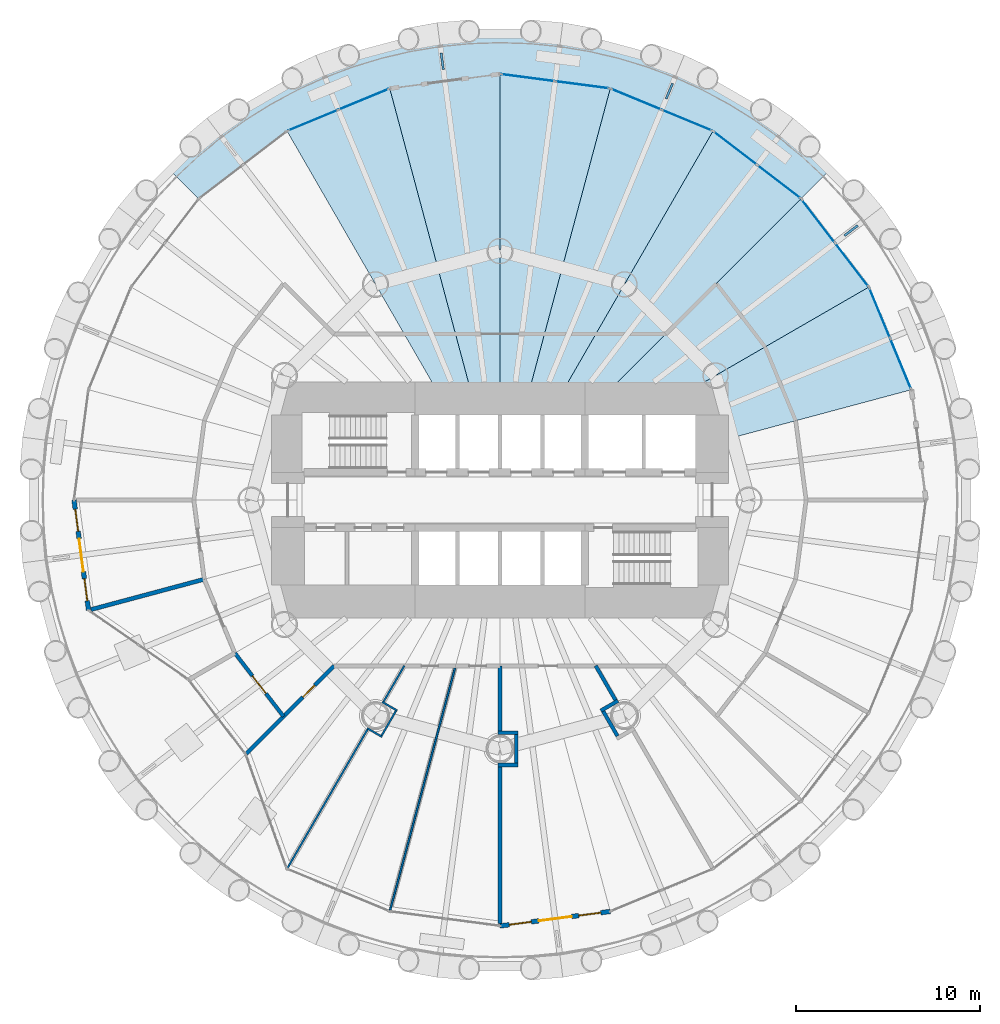
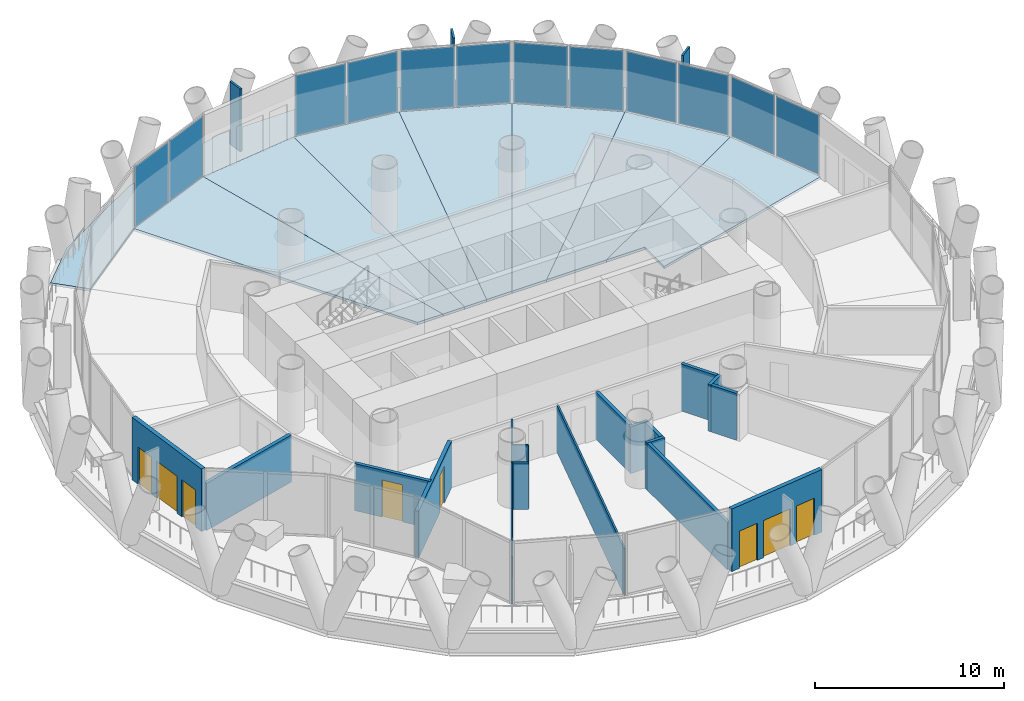
# One storey, part 8 of 14: 19 walls, 15 plates, 8 slabs, 4 doors, 4 windows, 8 openings, 6 elements without a shape of their own.
"""IFC4 building model written with IfcOpenShell, lengths in metres."""

from ifc_helpers import new_model, si_unit, direction, frame, frame_2d, origin, origin_2d, place, context, subcontext, project, spatial, polyline, rectangle, outline, extrude, material, layer, layer_set, type_object, element, fill, aggregate, save


model = new_model("IFC4")

# Units and contexts
model_context = context("Model", 3, precision=1e-05, world=origin(), true_north=direction((0.0, 1.0)))
body_context = subcontext(model_context, "Body", "Model", "MODEL_VIEW")
ifc_project = project(units=[si_unit("LENGTHUNIT", "METRE"), si_unit("AREAUNIT", "SQUARE_METRE"), si_unit("VOLUMEUNIT", "CUBIC_METRE"), si_unit("PLANEANGLEUNIT", "RADIAN"), si_unit("MASSUNIT", "GRAM", prefix="KILO")], contexts=[model_context])

# Site, building, storey
site_placement = place(None, origin())
site = spatial("IfcSite", under=ifc_project, at=site_placement, CompositionType="ELEMENT")
building_placement = place(site_placement, origin())
building = spatial("IfcBuilding", under=site, at=building_placement, Name="Qaws Media Tower", CompositionType="ELEMENT")
storey_placement = place(building_placement, frame((0.0, 0.0, 84.800048828125)))
storey = spatial("IfcBuildingStorey", under=building, at=storey_placement, Name="L18", CompositionType="ELEMENT", Elevation=84.800048828125)

# Slabs
ifc_material_1 = material(Name="Concrete C35/45", Category="concrete")
ifc_layer_1 = layer(ifc_material_1, 0.159912109375)
ifc_layer_set_1 = layer_set([ifc_layer_1], Name="Composite balcony slab 160")
slab_type_1 = type_object("IfcSlabType", Name="Composite balcony slab 160", PredefinedType="FLOOR", material=ifc_layer_set_1)
slab_1_placement = place(storey_placement, frame((0.0, 0.0, -0.16015625)))
element("IfcSlab", 1, at=slab_1_placement, inside=storey, type_object=slab_type_1, Name="S2 balcony slab L18 R04 to R10, movement joints on R04 and R10", PredefinedType="FLOOR", context=body_context, shape_type="SweptSolid", body=[
    extrude(outline(polyline([(44.4765625, 70.23046875), (50.24169921875, 73.558837890625), (56.671630859375, 75.28173828125), (63.328369140625, 75.28173828125), (69.75830078125, 73.558837890625), (75.5234375, 70.23046875), (77.876953125, 67.876953125), (76.334228515625, 66.334228515625), (71.550048828125, 70.005126953125), (65.978759765625, 72.31298828125), (60.0, 73.10009765625), (54.021240234375, 72.31298828125), (48.449951171875, 70.005126953125), (43.665771484375, 66.334228515625), (42.123046875, 67.876953125), (44.4765625, 70.23046875)])), origin(), (0.0, 0.0, 1.0), 0.16015625),
])
ifc_material_2 = material(Name="Concrete C35/45", Category="concrete")
ifc_layer_2 = layer(ifc_material_2, 0.159912109375)
ifc_layer_set_2 = layer_set([ifc_layer_2], Name="Composite floor slab 160")
slab_type_2 = type_object("IfcSlabType", Name="Composite floor slab 160", PredefinedType="FLOOR", material=ifc_layer_set_2)
slab_2_placement = place(storey_placement, frame((0.0, 0.0, -0.16015625)))
element("IfcSlab", 2, at=slab_2_placement, inside=storey, type_object=slab_type_2, Name="S1 floor panel L18 on R02+7.5", PredefinedType="FLOOR", context=body_context, shape_type="SweptSolid", body=[
    extrude(outline(polyline([(80.005126953125, 61.550048828125), (82.31298828125, 55.978759765625), (71.0, 52.947509765625), (71.0, 55.0), (68.660400390625, 55.0), (80.005126953125, 61.550048828125)])), origin(), (0.0, 0.0, 1.0), 0.16015625),
])
slab_3_placement = place(storey_placement, frame((0.0, 0.0, -0.16015625)))
element("IfcSlab", 3, at=slab_3_placement, inside=storey, type_object=slab_type_2, Name="S1 floor panel L18 on R03+7.5", PredefinedType="FLOOR", context=body_context, shape_type="SweptSolid", body=[
    extrude(outline(polyline([(80.005126953125, 61.550048828125), (68.660400390625, 55.0), (65.0, 55.0), (76.334228515625, 66.334228515625), (80.005126953125, 61.550048828125)])), origin(), (0.0, 0.0, 1.0), 0.16015625),
])
slab_4_placement = place(storey_placement, frame((0.0, 0.0, -0.16015625)))
element("IfcSlab", 4, at=slab_4_placement, inside=storey, type_object=slab_type_2, Name="S1 floor panel L18 on R04+7.5", PredefinedType="FLOOR", context=body_context, shape_type="SweptSolid", body=[
    extrude(outline(polyline([(76.334228515625, 66.334228515625), (65.0, 55.0), (62.88671875, 55.0), (71.550048828125, 70.005126953125), (76.334228515625, 66.334228515625)])), origin(), (0.0, 0.0, 1.0), 0.16015625),
])
slab_5_placement = place(storey_placement, frame((0.0, 0.0, -0.16015625)))
element("IfcSlab", 5, at=slab_5_placement, inside=storey, type_object=slab_type_2, Name="S1 floor panel L18 on R05+7.5", PredefinedType="FLOOR", context=body_context, shape_type="SweptSolid", body=[
    extrude(outline(polyline([(71.550048828125, 70.005126953125), (62.88671875, 55.0), (61.339599609375, 55.0), (65.978759765625, 72.31298828125), (71.550048828125, 70.005126953125)])), origin(), (0.0, 0.0, 1.0), 0.16015625),
])
slab_6_placement = place(storey_placement, frame((0.0, 0.0, -0.16015625)))
element("IfcSlab", 6, at=slab_6_placement, inside=storey, type_object=slab_type_2, Name="S1 floor panel L18 on R06+7.5", PredefinedType="FLOOR", context=body_context, shape_type="SweptSolid", body=[
    extrude(outline(polyline([(65.978759765625, 72.31298828125), (61.339599609375, 55.0), (60.0, 55.0), (60.0, 73.10009765625), (65.978759765625, 72.31298828125)])), origin(), (0.0, 0.0, 1.0), 0.16015625),
])
slab_7_placement = place(storey_placement, frame((0.0, 0.0, -0.16015625)))
element("IfcSlab", 7, at=slab_7_placement, inside=storey, type_object=slab_type_2, Name="S1 floor panel L18 on R07+7.5", PredefinedType="FLOOR", context=body_context, shape_type="SweptSolid", body=[
    extrude(outline(polyline([(54.021240234375, 72.31298828125), (60.0, 73.10009765625), (60.0, 55.0), (58.660400390625, 55.0), (54.021240234375, 72.31298828125)])), origin(), (0.0, 0.0, 1.0), 0.16015625),
])
slab_8_placement = place(storey_placement, frame((0.0, 0.0, -0.16015625)))
element("IfcSlab", 8, at=slab_8_placement, inside=storey, type_object=slab_type_2, Name="S1 floor panel L18 on R08+7.5", PredefinedType="FLOOR", context=body_context, shape_type="SweptSolid", body=[
    extrude(outline(polyline([(48.449951171875, 70.005126953125), (54.021240234375, 72.31298828125), (58.660400390625, 55.0), (57.11328125, 55.0), (48.449951171875, 70.005126953125)])), origin(), (0.0, 0.0, 1.0), 0.16015625),
])

# Curtain wall, plates
ifc_material_3 = material(Name="Aluminium and clear glass", Category="aluminium")
curtain_wall_type = type_object("IfcCurtainWallType", Name="Unitised curtain wall CW-A", PredefinedType="NOTDEFINED", material=ifc_material_3)
curtain_wall_1_placement = place(storey_placement, origin())
curtain_wall_1 = element("IfcCurtainWall", 9, at=curtain_wall_1_placement, inside=storey, type_object=curtain_wall_type, Name="CWA curtain wall L18-02", PredefinedType="NOTDEFINED")
ifc_material_4 = material(Name="Clear laminated double glazing", Category="glass")
ifc_layer_3 = layer(ifc_material_4, 0.031982421875)
ifc_layer_set_3 = layer_set([ifc_layer_3], Name="Curtain wall glass unit 32")
plate_type_1 = type_object("IfcPlateType", Name="Curtain wall glass unit 32", PredefinedType="CURTAIN_PANEL", material=ifc_layer_set_3)
plate_1_placement = place(storey_placement, frame((81.728271484375, 57.39013671875, 0.080078125), z_axis=(0.0, 0.0, 1.0), x_axis=(-0.382683469758, 0.923879517022, 0.0)))
plate_1 = element("IfcPlate", 10, at=plate_1_placement, type_object=plate_type_1, Name="CWA panel 1.1", PredefinedType="CURTAIN_PANEL", context=body_context, shape_type="SweptSolid", body=[
    extrude(rectangle(XDim=2.895263671875, YDim=0.031982421875, at=origin_2d()), origin(), (0.0, 0.0, 1.0), 3.8798828125),
])
plate_2_placement = place(storey_placement, frame((80.58984375, 60.138671875, 0.080078125), z_axis=(0.0, 0.0, 1.0), x_axis=(-0.382683469758, 0.923879517022, 0.0)))
plate_2 = element("IfcPlate", 11, at=plate_2_placement, type_object=plate_type_1, Name="CWA panel 2.1", PredefinedType="CURTAIN_PANEL", context=body_context, shape_type="SweptSolid", body=[
    extrude(rectangle(XDim=2.895263671875, YDim=0.031982421875, at=origin_2d()), origin(), (0.0, 0.0, 1.0), 3.8798828125),
])
aggregate(curtain_wall_1, [plate_1, plate_2])

curtain_wall_2_placement = place(storey_placement, origin())
curtain_wall_2 = element("IfcCurtainWall", 12, at=curtain_wall_2_placement, inside=storey, type_object=curtain_wall_type, Name="CWA curtain wall L18-03", PredefinedType="NOTDEFINED")
plate_3_placement = place(storey_placement, frame((79.0751953125, 62.761962890625, 0.080078125), z_axis=(0.0, 0.0, 1.0), x_axis=(-0.608761381612, 0.79335337666, 0.0)))
plate_3 = element("IfcPlate", 13, at=plate_3_placement, type_object=plate_type_1, Name="CWA panel 1.1", PredefinedType="CURTAIN_PANEL", context=body_context, shape_type="SweptSolid", body=[
    extrude(rectangle(XDim=2.895263671875, YDim=0.031982421875, at=origin_2d()), origin(), (0.0, 0.0, 1.0), 3.8798828125),
])
plate_4_placement = place(storey_placement, frame((77.26416015625, 65.122314453125, 0.080078125), z_axis=(0.0, 0.0, 1.0), x_axis=(-0.608761381612, 0.79335337666, 0.0)))
plate_4 = element("IfcPlate", 14, at=plate_4_placement, type_object=plate_type_1, Name="CWA panel 2.1", PredefinedType="CURTAIN_PANEL", context=body_context, shape_type="SweptSolid", body=[
    extrude(rectangle(XDim=2.895263671875, YDim=0.031982421875, at=origin_2d()), origin(), (0.0, 0.0, 1.0), 3.8798828125),
])
aggregate(curtain_wall_2, [plate_3, plate_4])

curtain_wall_3_placement = place(storey_placement, origin())
curtain_wall_3 = element("IfcCurtainWall", 15, at=curtain_wall_3_placement, inside=storey, type_object=curtain_wall_type, Name="CWA curtain wall L18-04", PredefinedType="NOTDEFINED")
plate_5_placement = place(storey_placement, frame((75.122314453125, 67.26416015625, 0.080078125), z_axis=(0.0, 0.0, 1.0), x_axis=(-0.79335337666, 0.608761381612, 0.0)))
plate_5 = element("IfcPlate", 16, at=plate_5_placement, type_object=plate_type_1, Name="CWA panel 1.1", PredefinedType="CURTAIN_PANEL", context=body_context, shape_type="SweptSolid", body=[
    extrude(rectangle(XDim=2.895263671875, YDim=0.031982421875, at=origin_2d()), origin(), (0.0, 0.0, 1.0), 3.8798828125),
])
plate_6_placement = place(storey_placement, frame((72.761962890625, 69.0751953125, 0.080078125), z_axis=(0.0, 0.0, 1.0), x_axis=(-0.79335337666, 0.608761381612, 0.0)))
plate_6 = element("IfcPlate", 17, at=plate_6_placement, type_object=plate_type_1, Name="CWA panel 2.1", PredefinedType="CURTAIN_PANEL", context=body_context, shape_type="SweptSolid", body=[
    extrude(rectangle(XDim=2.895263671875, YDim=0.031982421875, at=origin_2d()), origin(), (0.0, 0.0, 1.0), 3.8798828125),
])
aggregate(curtain_wall_3, [plate_5, plate_6])

curtain_wall_4_placement = place(storey_placement, origin())
curtain_wall_4 = element("IfcCurtainWall", 18, at=curtain_wall_4_placement, inside=storey, type_object=curtain_wall_type, Name="CWA curtain wall L18-05", PredefinedType="NOTDEFINED")
plate_7_placement = place(storey_placement, frame((70.138671875, 70.58984375, 0.080078125), z_axis=(0.0, 0.0, 1.0), x_axis=(-0.923879517022, 0.382683469758, 0.0)))
plate_7 = element("IfcPlate", 19, at=plate_7_placement, type_object=plate_type_1, Name="CWA panel 1.1", PredefinedType="CURTAIN_PANEL", context=body_context, shape_type="SweptSolid", body=[
    extrude(rectangle(XDim=2.895263671875, YDim=0.031982421875, at=origin_2d()), origin(), (0.0, 0.0, 1.0), 3.8798828125),
])
plate_8_placement = place(storey_placement, frame((67.39013671875, 71.728271484375, 0.080078125), z_axis=(0.0, 0.0, 1.0), x_axis=(-0.923879517022, 0.382683469758, 0.0)))
plate_8 = element("IfcPlate", 20, at=plate_8_placement, type_object=plate_type_1, Name="CWA panel 2.1", PredefinedType="CURTAIN_PANEL", context=body_context, shape_type="SweptSolid", body=[
    extrude(rectangle(XDim=2.895263671875, YDim=0.031982421875, at=origin_2d()), origin(), (0.0, 0.0, 1.0), 3.8798828125),
])
aggregate(curtain_wall_4, [plate_7, plate_8])

curtain_wall_5_placement = place(storey_placement, origin())
curtain_wall_5 = element("IfcCurtainWall", 21, at=curtain_wall_5_placement, inside=storey, type_object=curtain_wall_type, Name="CWA curtain wall L18-06", PredefinedType="NOTDEFINED")
plate_9_placement = place(storey_placement, frame((64.464111328125, 72.51220703125, 0.080078125), z_axis=(0.0, 0.0, 1.0), x_axis=(-0.991444870395, 0.130526123696, 0.0)))
plate_9 = element("IfcPlate", 22, at=plate_9_placement, type_object=plate_type_1, Name="CWA panel 1.1", PredefinedType="CURTAIN_PANEL", context=body_context, shape_type="SweptSolid", body=[
    extrude(rectangle(XDim=2.895263671875, YDim=0.031982421875, at=origin_2d()), origin(), (0.0, 0.0, 1.0), 3.8798828125),
])
plate_10_placement = place(storey_placement, frame((61.514404296875, 72.900634765625, 0.080078125), z_axis=(0.0, 0.0, 1.0), x_axis=(-0.991444870395, 0.130526123696, 0.0)))
plate_10 = element("IfcPlate", 23, at=plate_10_placement, type_object=plate_type_1, Name="CWA panel 2.1", PredefinedType="CURTAIN_PANEL", context=body_context, shape_type="SweptSolid", body=[
    extrude(rectangle(XDim=2.895263671875, YDim=0.031982421875, at=origin_2d()), origin(), (0.0, 0.0, 1.0), 3.8798828125),
])
aggregate(curtain_wall_5, [plate_9, plate_10])

curtain_wall_6_placement = place(storey_placement, origin())
curtain_wall_6 = element("IfcCurtainWall", 24, at=curtain_wall_6_placement, inside=storey, type_object=curtain_wall_type, Name="CWA curtain wall L18-08", PredefinedType="NOTDEFINED")
plate_11_placement = place(storey_placement, frame((52.60986328125, 71.728271484375, 0.080078125), z_axis=(0.0, 0.0, 1.0), x_axis=(-0.923879517022, -0.382683469758, 0.0)))
plate_11 = element("IfcPlate", 25, at=plate_11_placement, type_object=plate_type_1, Name="CWA panel 1.1", PredefinedType="CURTAIN_PANEL", context=body_context, shape_type="SweptSolid", body=[
    extrude(rectangle(XDim=2.895263671875, YDim=0.031982421875, at=origin_2d()), origin(), (0.0, 0.0, 1.0), 3.8798828125),
])
plate_12_placement = place(storey_placement, frame((49.861328125, 70.58984375, 0.080078125), z_axis=(0.0, 0.0, 1.0), x_axis=(-0.923879517022, -0.382683469758, 0.0)))
plate_12 = element("IfcPlate", 26, at=plate_12_placement, type_object=plate_type_1, Name="CWA panel 2.1", PredefinedType="CURTAIN_PANEL", context=body_context, shape_type="SweptSolid", body=[
    extrude(rectangle(XDim=2.895263671875, YDim=0.031982421875, at=origin_2d()), origin(), (0.0, 0.0, 1.0), 3.8798828125),
])
aggregate(curtain_wall_6, [plate_11, plate_12])

# Plates
ifc_material_5 = material(Name="Precast concrete screen fin", Category="concrete")
ifc_layer_4 = layer(ifc_material_5, 0.1201171875)
ifc_layer_set_4 = layer_set([ifc_layer_4], Name="Screen fin 120x900")
plate_type_2 = type_object("IfcPlateType", Name="Screen fin 120x900", PredefinedType="USERDEFINED", material=ifc_layer_set_4)
for number, where, z_axis, x_axis, name in (
    (27, (79.04052734375, 64.6103515625, 0.0), (0.0, 0.0, 1.0), (0.793353340291, 0.608761429009, 0.0), "SCR1 screen fin L18-02"),
    (28, (69.184326171875, 72.173095703125, 0.0), (0.0, 0.0, 1.0), (0.382683432365, 0.923879532511, 0.0), "SCR1 screen fin L18-03"),
    (29, (56.867431640625, 73.794677734375, 0.0), (0.0, 0.0, 1.0), (-0.13052619222, 0.991444861374, 0.0), "SCR1 screen fin L18-04"),
):
    element("IfcPlate", number, at=place(storey_placement, frame(where, z_axis=z_axis, x_axis=x_axis)), inside=storey, type_object=plate_type_2, Name=name, ObjectType="SCREEN", PredefinedType="USERDEFINED", context=body_context, shape_type="SweptSolid", body=[
        extrude(rectangle(XDim=0.89990234375, YDim=0.1201171875, at=origin_2d()), origin(), (0.0, 0.0, 1.0), 4.0400390625),
    ])

# Wall
ifc_material_6 = material(Name="Twin metal stud frames, two layers gypsum board each side, insulated, Rw 55", Category="gypsum")
ifc_layer_5 = layer(ifc_material_6, 0.22509765625)
ifc_layer_set_5 = layer_set([ifc_layer_5], Name="Acoustic twin-stud partition 225 Rw 55")
wall_type_1 = type_object("IfcWallType", Name="Acoustic twin-stud partition 225 Rw 55", PredefinedType="PARTITIONING", material=ifc_layer_set_5)
wall_1_placement = place(storey_placement, frame((43.965576171875, 45.70361328125, 0.0), z_axis=(0.0, 0.0, 1.0), x_axis=(-0.965929717932, -0.258804520856, 0.0)))
element("IfcWall", 30, at=wall_1_placement, inside=storey, type_object=wall_type_1, Name="W080 IW6 partition L18", PredefinedType="PARTITIONING", context=body_context, shape_type="SweptSolid", body=[
    extrude(rectangle(XDim=6.360107421875, YDim=0.22509765625, at=frame_2d((3.18017578125, 0.0))), origin(), (0.0, 0.0, 1.0), 3.0400390625),
])

# Wall, opening, door
wall_2_placement = place(storey_placement, frame((51.0, 41.0, 0.0), z_axis=(0.0, 0.0, 1.0), x_axis=(-0.707106781187, -0.707106781187, 0.0)))
wall_2 = element("IfcWall", 31, at=wall_2_placement, inside=storey, type_object=wall_type_1, Name="W084 IW6 partition L18", PredefinedType="PARTITIONING", context=body_context, shape_type="SweptSolid", body=[
    extrude(rectangle(XDim=6.73193359375, YDim=0.22509765625, at=frame_2d((3.365966796875, 0.0))), origin(), (0.0, 0.0, 1.0), 3.02001953125),
])
opening_1_placement = place(wall_2_placement, frame((1.486083984375, 0.0, 0.0)))
opening_1 = element("IfcOpeningElement", 32, at=opening_1_placement, cuts=wall_2, Name="Opening D12", PredefinedType="OPENING", context=body_context, shape_type="SweptSolid", body=[
    extrude(rectangle(XDim=0.89990234375, YDim=2.39990234375, at=frame_2d((0.449951171875, 1.199951171875))), frame((0.0, 0.12255859375, 0.0), z_axis=(0.0, -1.0, 0.0), x_axis=(1.0, 0.0, 0.0)), (0.0, 0.0, 1.0), 0.2451171875),
])
ifc_material_7 = material(Name="Timber veneered, full height", Category="wood")
door_type_1 = type_object("IfcDoorType", Name="Office door 900x2400", OperationType="SINGLE_SWING_LEFT", PredefinedType="DOOR", material=ifc_material_7)
door_1_placement = place(opening_1_placement, origin())
door_1 = element("IfcDoor", 33, at=door_1_placement, inside=storey, type_object=door_type_1, Name="D12 Editor's office door L18 in wall W084", OperationType="SINGLE_SWING_LEFT", OverallHeight=2.39990234375, OverallWidth=0.89990234375, PredefinedType="DOOR", context=body_context, shape_type="SweptSolid", body=[
    extrude(rectangle(XDim=0.89990234375, YDim=2.39990234375, at=frame_2d((0.449951171875, 1.199951171875))), frame((0.0, 0.02490234375, 0.0), z_axis=(0.0, -1.0, 0.0), x_axis=(1.0, 0.0, 0.0)), (0.0, 0.0, 1.0), 0.050048828125),
])
fill(opening_1, door_1)

# Wall, openings, door, windows
ifc_material_8 = material(Name="Precast concrete, exposed finish", Category="concrete")
ifc_layer_6 = layer(ifc_material_8, 0.25)
ifc_layer_set_6 = layer_set([ifc_layer_6], Name="Balcony door wall 250")
wall_type_2 = type_object("IfcWallType", Name="Balcony door wall 250", PredefinedType="SOLIDWALL", material=ifc_layer_set_6)
wall_3_placement = place(storey_placement, frame((36.89990234375, 50.0, 0.0), z_axis=(0.0, 0.0, 1.0), x_axis=(0.130524679454, -0.991445060532, 0.0)))
wall_3 = element("IfcWall", 34, at=wall_3_placement, inside=storey, type_object=wall_type_2, Name="W153 EW1 balcony door wall L18-13", PredefinedType="SOLIDWALL", context=body_context, shape_type="SweptSolid", body=[
    extrude(rectangle(XDim=6.0302734375, YDim=0.25, at=frame_2d((3.01513671875, 0.0))), origin(), (0.0, 0.0, 1.0), 4.0400390625),
])
opening_2_placement = place(wall_3_placement, frame((2.115234375, 0.0, 0.0)))
opening_2 = element("IfcOpeningElement", 35, at=opening_2_placement, cuts=wall_3, Name="Opening D7", PredefinedType="OPENING", context=body_context, shape_type="SweptSolid", body=[
    extrude(rectangle(XDim=1.800048828125, YDim=2.39990234375, at=frame_2d((0.89990234375, 1.199951171875))), frame((0.0, 0.135009765625, 0.0), z_axis=(0.0, -1.0, 0.0), x_axis=(1.0, 0.0, 0.0)), (0.0, 0.0, 1.0), 0.27001953125),
])
opening_3_placement = place(wall_3_placement, frame((0.51513671875, 0.0, 0.0)))
opening_3 = element("IfcOpeningElement", 36, at=opening_3_placement, cuts=wall_3, Name="Opening W1", PredefinedType="OPENING", context=body_context, shape_type="SweptSolid", body=[
    extrude(rectangle(XDim=1.199951171875, YDim=2.39990234375, at=frame_2d((0.60009765625, 1.199951171875))), frame((0.0, 0.135009765625, 0.0), z_axis=(0.0, -1.0, 0.0), x_axis=(1.0, 0.0, 0.0)), (0.0, 0.0, 1.0), 0.27001953125),
])
opening_4_placement = place(wall_3_placement, frame((4.315185546875, 0.0, 0.0)))
opening_4 = element("IfcOpeningElement", 37, at=opening_4_placement, cuts=wall_3, Name="Opening W1", PredefinedType="OPENING", context=body_context, shape_type="SweptSolid", body=[
    extrude(rectangle(XDim=1.199951171875, YDim=2.39990234375, at=frame_2d((0.60009765625, 1.199951171875))), frame((0.0, 0.135009765625, 0.0), z_axis=(0.0, -1.0, 0.0), x_axis=(1.0, 0.0, 0.0)), (0.0, 0.0, 1.0), 0.27001953125),
])
ifc_material_9 = material(Name="Aluminium and clear glass", Category="aluminium")
door_type_2 = type_object("IfcDoorType", Name="Balcony door pair 1800", OperationType="DOUBLE_DOOR_SLIDING", PredefinedType="DOOR", material=ifc_material_9)
door_2_placement = place(opening_2_placement, origin())
door_2 = element("IfcDoor", 38, at=door_2_placement, inside=storey, type_object=door_type_2, Name="D7 balcony door L18-13 in wall W153", OperationType="DOUBLE_DOOR_SLIDING", OverallHeight=2.39990234375, OverallWidth=1.800048828125, PredefinedType="DOOR", context=body_context, shape_type="SweptSolid", body=[
    extrude(rectangle(XDim=1.800048828125, YDim=2.39990234375, at=frame_2d((0.89990234375, 1.199951171875))), frame((0.0, 0.02490234375, 0.0), z_axis=(0.0, -1.0, 0.0), x_axis=(1.0, 0.0, 0.0)), (0.0, 0.0, 1.0), 0.050048828125),
])
fill(opening_2, door_2)
ifc_material_10 = material(Name="Aluminium and clear glass", Category="aluminium")
window_type = type_object("IfcWindowType", Name="Balcony side window 1200", PartitioningType="SINGLE_PANEL", PredefinedType="WINDOW", material=ifc_material_10)
window_1_placement = place(opening_3_placement, origin())
window_1 = element("IfcWindow", 39, at=window_1_placement, inside=storey, type_object=window_type, Name="W1 balcony side light L18-13L", OverallHeight=2.39990234375, OverallWidth=1.199951171875, PartitioningType="SINGLE_PANEL", PredefinedType="WINDOW", context=body_context, shape_type="SweptSolid", body=[
    extrude(rectangle(XDim=1.199951171875, YDim=2.39990234375, at=frame_2d((0.60009765625, 1.199951171875))), frame((0.0, 0.030029296875, 0.0), z_axis=(0.0, -1.0, 0.0), x_axis=(1.0, 0.0, 0.0)), (0.0, 0.0, 1.0), 0.06005859375),
])
fill(opening_3, window_1)
window_2_placement = place(opening_4_placement, origin())
window_2 = element("IfcWindow", 40, at=window_2_placement, inside=storey, type_object=window_type, Name="W1 balcony side light L18-13R", OverallHeight=2.39990234375, OverallWidth=1.199951171875, PartitioningType="SINGLE_PANEL", PredefinedType="WINDOW", context=body_context, shape_type="SweptSolid", body=[
    extrude(rectangle(XDim=1.199951171875, YDim=2.39990234375, at=frame_2d((0.60009765625, 1.199951171875))), frame((0.0, 0.030029296875, 0.0), z_axis=(0.0, -1.0, 0.0), x_axis=(1.0, 0.0, 0.0)), (0.0, 0.0, 1.0), 0.06005859375),
])
fill(opening_4, window_2)

wall_4_placement = place(storey_placement, frame((60.0, 26.89990234375, 0.0), z_axis=(0.0, 0.0, 1.0), x_axis=(0.991445060532, 0.130524679454, 0.0)))
wall_4 = element("IfcWall", 41, at=wall_4_placement, inside=storey, type_object=wall_type_2, Name="W154 EW1 balcony door wall L18-19", PredefinedType="SOLIDWALL", context=body_context, shape_type="SweptSolid", body=[
    extrude(rectangle(XDim=6.0302734375, YDim=0.25, at=frame_2d((3.01513671875, 0.0))), origin(), (0.0, 0.0, 1.0), 4.0400390625),
])
opening_5_placement = place(wall_4_placement, frame((2.115234375, 0.0, 0.0)))
opening_5 = element("IfcOpeningElement", 42, at=opening_5_placement, cuts=wall_4, Name="Opening D7", PredefinedType="OPENING", context=body_context, shape_type="SweptSolid", body=[
    extrude(rectangle(XDim=1.800048828125, YDim=2.39990234375, at=frame_2d((0.89990234375, 1.199951171875))), frame((0.0, 0.135009765625, 0.0), z_axis=(0.0, -1.0, 0.0), x_axis=(1.0, 0.0, 0.0)), (0.0, 0.0, 1.0), 0.27001953125),
])
opening_6_placement = place(wall_4_placement, frame((0.51513671875, 0.0, 0.0)))
opening_6 = element("IfcOpeningElement", 43, at=opening_6_placement, cuts=wall_4, Name="Opening W1", PredefinedType="OPENING", context=body_context, shape_type="SweptSolid", body=[
    extrude(rectangle(XDim=1.199951171875, YDim=2.39990234375, at=frame_2d((0.60009765625, 1.199951171875))), frame((0.0, 0.135009765625, 0.0), z_axis=(0.0, -1.0, 0.0), x_axis=(1.0, 0.0, 0.0)), (0.0, 0.0, 1.0), 0.27001953125),
])
opening_7_placement = place(wall_4_placement, frame((4.315185546875, 0.0, 0.0)))
opening_7 = element("IfcOpeningElement", 44, at=opening_7_placement, cuts=wall_4, Name="Opening W1", PredefinedType="OPENING", context=body_context, shape_type="SweptSolid", body=[
    extrude(rectangle(XDim=1.199951171875, YDim=2.39990234375, at=frame_2d((0.60009765625, 1.199951171875))), frame((0.0, 0.135009765625, 0.0), z_axis=(0.0, -1.0, 0.0), x_axis=(1.0, 0.0, 0.0)), (0.0, 0.0, 1.0), 0.27001953125),
])
door_3_placement = place(opening_5_placement, origin())
door_3 = element("IfcDoor", 45, at=door_3_placement, inside=storey, type_object=door_type_2, Name="D7 balcony door L18-19 in wall W154", OperationType="DOUBLE_DOOR_SLIDING", OverallHeight=2.39990234375, OverallWidth=1.800048828125, PredefinedType="DOOR", context=body_context, shape_type="SweptSolid", body=[
    extrude(rectangle(XDim=1.800048828125, YDim=2.39990234375, at=frame_2d((0.89990234375, 1.199951171875))), frame((0.0, 0.02490234375, 0.0), z_axis=(0.0, -1.0, 0.0), x_axis=(1.0, 0.0, 0.0)), (0.0, 0.0, 1.0), 0.050048828125),
])
fill(opening_5, door_3)
window_3_placement = place(opening_6_placement, origin())
window_3 = element("IfcWindow", 46, at=window_3_placement, inside=storey, type_object=window_type, Name="W1 balcony side light L18-19L", OverallHeight=2.39990234375, OverallWidth=1.199951171875, PartitioningType="SINGLE_PANEL", PredefinedType="WINDOW", context=body_context, shape_type="SweptSolid", body=[
    extrude(rectangle(XDim=1.199951171875, YDim=2.39990234375, at=frame_2d((0.60009765625, 1.199951171875))), frame((0.0, 0.030029296875, 0.0), z_axis=(0.0, -1.0, 0.0), x_axis=(1.0, 0.0, 0.0)), (0.0, 0.0, 1.0), 0.06005859375),
])
fill(opening_6, window_3)
window_4_placement = place(opening_7_placement, origin())
window_4 = element("IfcWindow", 47, at=window_4_placement, inside=storey, type_object=window_type, Name="W1 balcony side light L18-19R", OverallHeight=2.39990234375, OverallWidth=1.199951171875, PartitioningType="SINGLE_PANEL", PredefinedType="WINDOW", context=body_context, shape_type="SweptSolid", body=[
    extrude(rectangle(XDim=1.199951171875, YDim=2.39990234375, at=frame_2d((0.60009765625, 1.199951171875))), frame((0.0, 0.030029296875, 0.0), z_axis=(0.0, -1.0, 0.0), x_axis=(1.0, 0.0, 0.0)), (0.0, 0.0, 1.0), 0.06005859375),
])
fill(opening_7, window_4)

# Walls
ifc_material_11 = material(Name="Gypsum board on 70 metal studs, single layer each side", Category="gypsum")
ifc_layer_7 = layer(ifc_material_11, 0.10009765625)
ifc_layer_set_7 = layer_set([ifc_layer_7], Name="Office stud partition 100")
wall_type_3 = type_object("IfcWallType", Name="Office stud partition 100", PredefinedType="PARTITIONING", material=ifc_layer_set_7)
for number, where, z_axis, x_axis, name in (
    (48, (53.6171875, 39.044677734375, 0.0), (0.0, 0.0, 1.0), (0.866024034475, -0.500002371706, 0.0), "W648 IW4 partition return L18"),
    (49, (52.796142578125, 37.622802734375, 0.0), (0.0, 0.0, 1.0), (0.866024034475, -0.500002371706, 0.0), "W646 IW4 partition return L18"),
):
    element("IfcWall", number, at=place(storey_placement, frame(where, z_axis=z_axis, x_axis=x_axis)), inside=storey, type_object=wall_type_3, Name=name, PredefinedType="PARTITIONING", context=body_context, shape_type="SweptSolid", body=[
        extrude(rectangle(XDim=0.93115234375, YDim=0.10009765625, at=frame_2d((0.465576171875, 0.0))), origin(), (0.0, 0.0, 1.0), 3.02001953125),
    ])
wall_5_placement = place(storey_placement, frame((54.355224609375, 38.560791015625, 0.0), z_axis=(0.0, 0.0, 1.0), x_axis=(-0.50005597947, -0.86599308161, 0.0)))
element("IfcWall", 50, at=wall_5_placement, inside=storey, type_object=wall_type_3, Name="W649 IW4 partition return L18", PredefinedType="PARTITIONING", context=body_context, shape_type="SweptSolid", body=[
    extrude(rectangle(XDim=1.541748046875, YDim=0.10009765625, at=frame_2d((0.77099609375, 0.0))), origin(), (0.0, 0.0, 1.0), 3.02001953125),
])
wall_6_placement = place(storey_placement, frame((54.81005859375, 41.0107421875, 0.0), z_axis=(0.0, 0.0, 1.0), x_axis=(-0.499991822116, -0.866030125237, 0.0)))
element("IfcWall", 51, at=wall_6_placement, inside=storey, type_object=wall_type_3, Name="W650 IW4 partition L18", PredefinedType="PARTITIONING", context=body_context, shape_type="SweptSolid", body=[
    extrude(rectangle(XDim=2.2490234375, YDim=0.10009765625, at=frame_2d((1.12451171875, 0.0))), origin(), (0.0, 0.0, 1.0), 3.0400390625),
])
wall_7_placement = place(storey_placement, frame((52.814453125, 37.55419921875, 0.0), z_axis=(0.0, 0.0, 1.0), x_axis=(-0.500010270335, -0.866019474122, 0.0)))
element("IfcWall", 52, at=wall_7_placement, inside=storey, type_object=wall_type_3, Name="W647 IW4 partition L18", PredefinedType="PARTITIONING", context=body_context, shape_type="SweptSolid", body=[
    extrude(rectangle(XDim=8.688720703125, YDim=0.10009765625, at=frame_2d((4.34423828125, 0.0))), origin(), (0.0, 0.0, 1.0), 3.0400390625),
])
wall_8_placement = place(storey_placement, frame((57.587890625, 40.99755859375, 0.0), z_axis=(0.0, 0.0, 1.0), x_axis=(-0.258835854707, -0.965921322012, 0.0)))
element("IfcWall", 53, at=wall_8_placement, inside=storey, type_object=wall_type_3, Name="W651 IW4 partition L18", PredefinedType="PARTITIONING", context=body_context, shape_type="SweptSolid", body=[
    extrude(rectangle(XDim=13.739990234375, YDim=0.10009765625, at=frame_2d((6.8701171875, 0.0))), origin(), (0.0, 0.0, 1.0), 3.02001953125),
])

# Wall, opening, door
ifc_material_12 = material(Name="Gypsum board on galvanised metal studs, acoustic double stud, deflection head", Category="gypsum")
ifc_layer_8 = layer(ifc_material_12, 0.199951171875)
ifc_layer_set_8 = layer_set([ifc_layer_8], Name="Room partition 200")
wall_type_4 = type_object("IfcWallType", Name="Room partition 200", PredefinedType="PARTITIONING", material=ifc_layer_set_8)
wall_9_placement = place(storey_placement, frame((48.261962890625, 38.261962890625, 0.0), z_axis=(0.0, 0.0, 1.0), x_axis=(-0.60874374674, 0.79336690806, 0.0)))
wall_9 = element("IfcWall", 54, at=wall_9_placement, inside=storey, type_object=wall_type_4, Name="W993 IW3 partition L18", PredefinedType="PARTITIONING", context=body_context, shape_type="SweptSolid", body=[
    extrude(rectangle(XDim=4.33349609375, YDim=0.199951171875, at=frame_2d((2.166748046875, 0.0))), origin(), (0.0, 0.0, 1.0), 3.0400390625),
])
opening_8_placement = place(wall_9_placement, frame((1.566650390625, 0.0, 0.0)))
opening_8 = element("IfcOpeningElement", 55, at=opening_8_placement, cuts=wall_9, Name="Opening D14", PredefinedType="OPENING", context=body_context, shape_type="SweptSolid", body=[
    extrude(rectangle(XDim=1.199951171875, YDim=2.39990234375, at=frame_2d((0.60009765625, 1.199951171875))), frame((0.0, 0.10986328125, 0.0), z_axis=(0.0, -1.0, 0.0), x_axis=(1.0, 0.0, 0.0)), (0.0, 0.0, 1.0), 0.219970703125),
])
ifc_material_13 = material(Name="Steel acoustic door set, Rw 45", Category="steel")
door_type_3 = type_object("IfcDoorType", Name="Acoustic door 1200x2400 Rw 45", OperationType="SINGLE_SWING_LEFT", PredefinedType="DOOR", material=ifc_material_13)
door_4_placement = place(opening_8_placement, origin())
door_4 = element("IfcDoor", 56, at=door_4_placement, inside=storey, type_object=door_type_3, Name="D14 Translation booth door L18 in wall W993", OperationType="SINGLE_SWING_LEFT", OverallHeight=2.39990234375, OverallWidth=1.199951171875, PredefinedType="DOOR", context=body_context, shape_type="SweptSolid", body=[
    extrude(rectangle(XDim=1.199951171875, YDim=2.39990234375, at=frame_2d((0.60009765625, 1.199951171875))), frame((0.0, 0.02490234375, 0.0), z_axis=(0.0, -1.0, 0.0), x_axis=(1.0, 0.0, 0.0)), (0.0, 0.0, 1.0), 0.050048828125),
])
fill(opening_8, door_4)

# Walls
for number, where, z_axis, x_axis, name in (
    (57, (59.89990234375, 37.37109375, 0.0), (0.0, 0.0, 1.0), (1.0, 0.0, 0.0), "W1046 IW3 partition return L18"),
    (58, (59.89990234375, 35.62890625, 0.0), (0.0, 0.0, 1.0), (1.0, 0.0, 0.0), "W1045 IW3 partition return L18"),
):
    element("IfcWall", number, at=place(storey_placement, frame(where, z_axis=z_axis, x_axis=x_axis)), inside=storey, type_object=wall_type_4, Name=name, PredefinedType="PARTITIONING", context=body_context, shape_type="SweptSolid", body=[
        extrude(rectangle(XDim=1.0810546875, YDim=0.199951171875, at=frame_2d((0.54052734375, 0.0))), origin(), (0.0, 0.0, 1.0), 3.02001953125),
    ])
wall_10_placement = place(storey_placement, frame((60.881103515625, 37.27099609375, 0.0), z_axis=(0.0, 0.0, 1.0), x_axis=(0.0, -1.0, 0.0)))
element("IfcWall", 59, at=wall_10_placement, inside=storey, type_object=wall_type_4, Name="W1049 IW3 partition return L18", PredefinedType="PARTITIONING", context=body_context, shape_type="SweptSolid", body=[
    extrude(rectangle(XDim=1.5419921875, YDim=0.199951171875, at=frame_2d((0.77099609375, 0.0))), origin(), (0.0, 0.0, 1.0), 3.02001953125),
])
wall_11_placement = place(storey_placement, frame((60.0, 41.0, 0.0), z_axis=(0.0, 0.0, 1.0), x_axis=(0.0, -1.0, 0.0)))
element("IfcWall", 60, at=wall_11_placement, inside=storey, type_object=wall_type_4, Name="W1102 IW3 partition L18", PredefinedType="PARTITIONING", context=body_context, shape_type="SweptSolid", body=[
    extrude(rectangle(XDim=3.529052734375, YDim=0.199951171875, at=frame_2d((1.7646484375, 0.0))), origin(), (0.0, 0.0, 1.0), 3.0400390625),
])
wall_12_placement = place(storey_placement, frame((60.0, 35.529052734375, 0.0), z_axis=(0.0, 0.0, 1.0), x_axis=(0.0, -1.0, 0.0)))
element("IfcWall", 61, at=wall_12_placement, inside=storey, type_object=wall_type_4, Name="W1100 IW3 partition L18", PredefinedType="PARTITIONING", context=body_context, shape_type="SweptSolid", body=[
    extrude(rectangle(XDim=8.489013671875, YDim=0.199951171875, at=frame_2d((4.24462890625, 0.0))), origin(), (0.0, 0.0, 1.0), 3.0400390625),
])
wall_13_placement = place(storey_placement, frame((66.401123046875, 39.113037109375, 0.0), z_axis=(0.0, 0.0, 1.0), x_axis=(-0.86603892542, -0.499976579108, 0.0)))
element("IfcWall", 62, at=wall_13_placement, inside=storey, type_object=wall_type_4, Name="W1027 IW3 partition return L18", PredefinedType="PARTITIONING", context=body_context, shape_type="SweptSolid", body=[
    extrude(rectangle(XDim=1.0810546875, YDim=0.199951171875, at=frame_2d((0.54052734375, 0.0))), origin(), (0.0, 0.0, 1.0), 3.02001953125),
])
wall_14_placement = place(storey_placement, frame((65.6015625, 38.535888671875, 0.0), z_axis=(0.0, 0.0, 1.0), x_axis=(0.499987416453, -0.866032668777, 0.0)))
element("IfcWall", 63, at=wall_14_placement, inside=storey, type_object=wall_type_4, Name="W1026 IW3 partition return L18", PredefinedType="PARTITIONING", context=body_context, shape_type="SweptSolid", body=[
    extrude(rectangle(XDim=1.5419921875, YDim=0.199951171875, at=frame_2d((0.77099609375, 0.0))), origin(), (0.0, 0.0, 1.0), 3.02001953125),
])
wall_15_placement = place(storey_placement, frame((65.18994140625, 41.0107421875, 0.0), z_axis=(0.0, 0.0, 1.0), x_axis=(0.499987977232, -0.866032345022, 0.0)))
element("IfcWall", 64, at=wall_15_placement, inside=storey, type_object=wall_type_4, Name="W1025 IW3 partition L18", PredefinedType="PARTITIONING", context=body_context, shape_type="SweptSolid", body=[
    extrude(rectangle(XDim=2.14892578125, YDim=0.199951171875, at=frame_2d((1.074462890625, 0.0))), origin(), (0.0, 0.0, 1.0), 3.0400390625),
])

save(model, "model.ifc")
